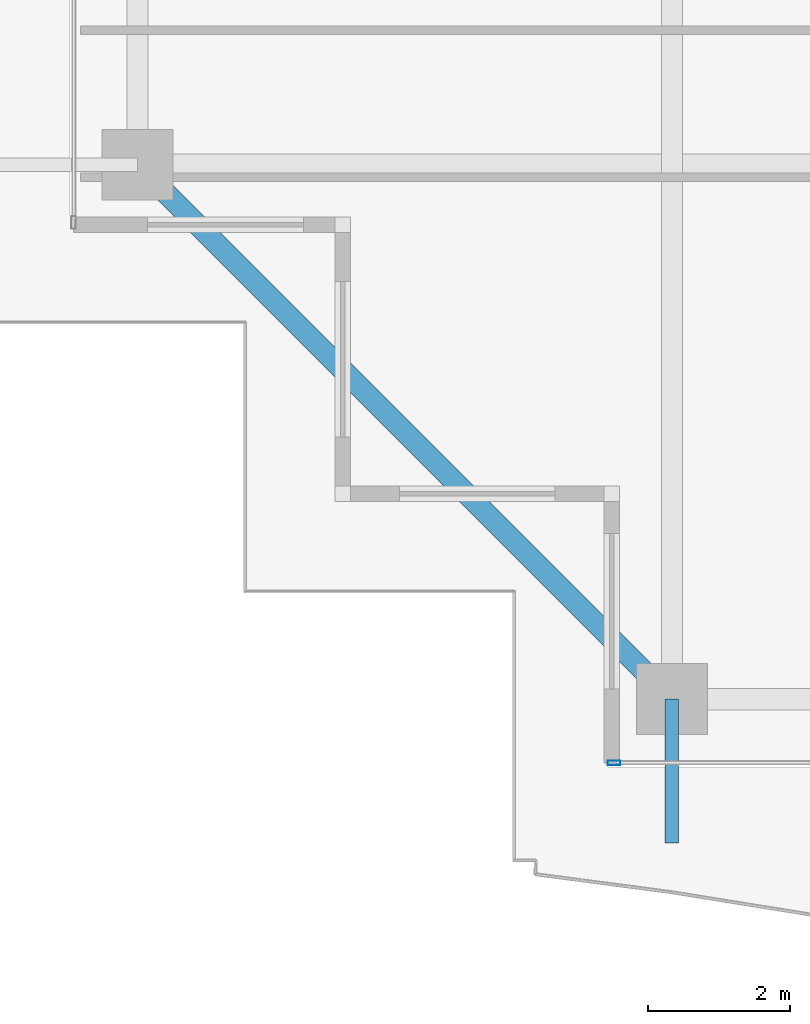
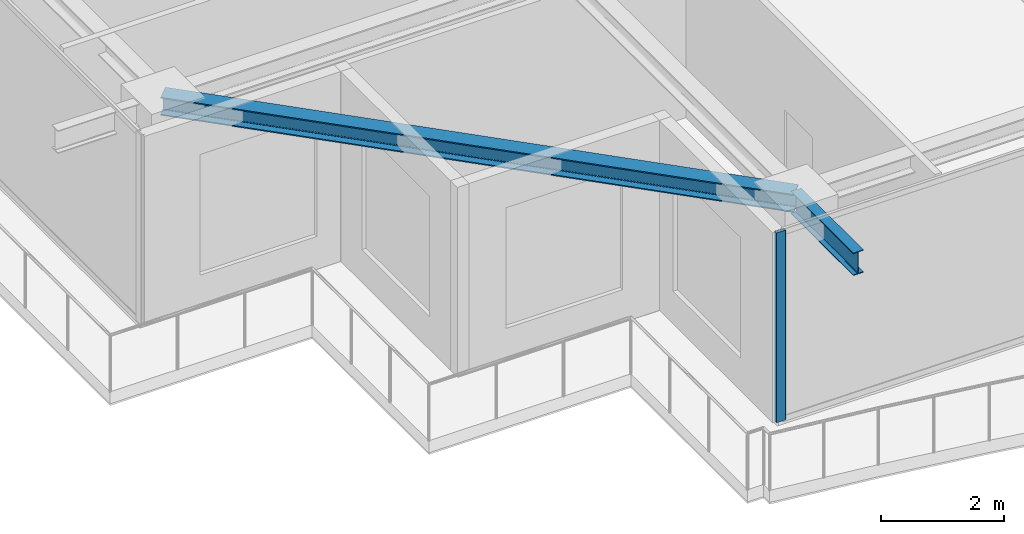
# One storey, part 2 of 42: 2 beams, 1 member, 1 element without a shape of its own.
"""IFC4 building model written with IfcOpenShell, lengths in metres."""

from ifc_helpers import new_model, si_unit, direction, frame, origin, origin_2d, place, context, subcontext, project, spatial, hollow_rectangle, i_section, extrude, source, transform, mapped, material, layer, layer_set, material_profile, profile_set, type_object, element, aggregate, save


model = new_model("IFC4")

# Units and contexts
model_context = context("Model", 3, precision=1e-05, world=origin(), true_north=direction((0.0, 1.0)))
body_context = subcontext(model_context, "Body", "Model", "MODEL_VIEW")
ifc_project = project(units=[si_unit("LENGTHUNIT", "METRE"), si_unit("AREAUNIT", "SQUARE_METRE"), si_unit("VOLUMEUNIT", "CUBIC_METRE"), si_unit("PLANEANGLEUNIT", "RADIAN"), si_unit("MASSUNIT", "GRAM", prefix="KILO")], contexts=[model_context])

# Site, building, storey
site_placement = place(None, origin())
site = spatial("IfcSite", under=ifc_project, at=site_placement, CompositionType="ELEMENT")
building_placement = place(site_placement, origin())
building = spatial("IfcBuilding", under=site, at=building_placement, Name="Serunith Strait Residences", CompositionType="ELEMENT")
storey_placement = place(building_placement, frame((0.0, 0.0, 325.85009765625)))
storey = spatial("IfcBuildingStorey", under=building, at=storey_placement, Name="L81", CompositionType="ELEMENT", Elevation=325.85009765625)

# Beams
ifc_material_1 = material(Name="Steel S355J2", Category="steel")
ifc_material_profile_1 = material_profile(ifc_material_1, i_section(OverallWidth=0.300048828125, OverallDepth=0.360107421875, WebThickness=0.012451171875, FlangeThickness=0.0224609375, FilletRadius=0.027099609375, at=origin_2d()), Name="HEB 360")
ifc_profile_set_1 = profile_set([ifc_material_profile_1], Name="Steel S355J2")
beam_type_1 = type_object("IfcBeamType", Name="BM-HEB360", PredefinedType="BEAM", material=ifc_profile_set_1)
shared_shape_1 = source(origin(), body_context, "Body", "SweptSolid", [
    extrude(i_section(OverallWidth=0.300048828125, OverallDepth=0.360107421875, WebThickness=0.012451171875, FlangeThickness=0.0224609375, FilletRadius=0.027099609375, at=origin_2d()), origin(), (0.0, 0.0, 1.0), 10.67724609375),
])
beam_1_placement = place(storey_placement, frame((10.10009765625, 10.85009765625, 3.576904296875), z_axis=(0.707095348302, -0.707118213887, 0.0), x_axis=(0.707118213887, 0.707095348302, 0.0)))
element("IfcBeam", 1, at=beam_1_placement, inside=storey, type_object=beam_type_1, Name="L81 Perimeter Ring Beam 16", PredefinedType="BEAM", context=body_context, shape_type="MappedRepresentation", body=[
    mapped(shared_shape_1, transform((0.0, 0.0, 0.0), scale=1.0)),
])
ifc_material_profile_2 = material_profile(ifc_material_1, i_section(OverallWidth=0.18994140625, OverallDepth=0.449951171875, WebThickness=0.009521484375, FlangeThickness=0.0146484375, FilletRadius=0.02099609375, at=origin_2d()), Name="IPE 450")
ifc_profile_set_2 = profile_set([ifc_material_profile_2], Name="Steel S355J2")
beam_type_2 = type_object("IfcBeamType", Name="BM-IPE450", PredefinedType="JOIST", material=ifc_profile_set_2)
shared_shape_2 = source(origin(), body_context, "Body", "SweptSolid", [
    extrude(i_section(OverallWidth=0.18994140625, OverallDepth=0.449951171875, WebThickness=0.009521484375, FlangeThickness=0.0146484375, FilletRadius=0.02099609375, at=origin_2d()), origin(), (0.0, 0.0, 1.0), 2.030029296875),
])
beam_2_placement = place(storey_placement, frame((17.64990234375, 3.300048828125, 3.531982421875), z_axis=(0.0, -1.0, 0.0), x_axis=(1.0, 0.0, 0.0)))
element("IfcBeam", 2, at=beam_2_placement, inside=storey, type_object=beam_type_2, Name="L82 Cantilevered Balcony Rib TC-S1", PredefinedType="JOIST", context=body_context, shape_type="MappedRepresentation", body=[
    mapped(shared_shape_2, transform((0.0, 0.0, 0.0), scale=1.0)),
])

# Curtain wall, member
ifc_material_2 = material(Name="Brushed Stainless-Silver Aluminium", Category="aluminium")
ifc_layer = layer(ifc_material_2, 0.199951171875, Name="Brushed Stainless-Silver Aluminium")
ifc_layer_set = layer_set([ifc_layer], Name="Brushed Stainless-Silver Aluminium")
curtain_wall_type = type_object("IfcCurtainWallType", Name="CW-SYS5", PredefinedType="NOTDEFINED", material=ifc_layer_set)
curtain_wall_placement = place(storey_placement, origin())
curtain_wall = element("IfcCurtainWall", 3, at=curtain_wall_placement, inside=storey, type_object=curtain_wall_type, Name="L81 S Unitised Fritted Curtain Wall", PredefinedType="NOTDEFINED")
ifc_material_profile_3 = material_profile(ifc_material_2, hollow_rectangle(XDim=0.06494140625, YDim=0.179931640625, WallThickness=0.00341796875, InnerFilletRadius=0.00537109375, OuterFilletRadius=0.0087890625, at=origin_2d()), Name="ALU 180x65x3.5")
ifc_profile_set_3 = profile_set([ifc_material_profile_3], Name="Brushed Stainless-Silver Aluminium")
member_type = type_object("IfcMemberType", Name="CW-SYS5-MULL", PredefinedType="MULLION", material=ifc_profile_set_3)
shared_shape_3 = source(origin(), body_context, "Body", "SweptSolid", [
    extrude(hollow_rectangle(XDim=0.06494140625, YDim=0.179931640625, WallThickness=0.00341796875, InnerFilletRadius=0.00537109375, OuterFilletRadius=0.0087890625, at=origin_2d()), origin(), (0.0, 0.0, 1.0), 3.77490234375),
])
member_placement = place(storey_placement, frame((16.83251953125, 2.39990234375, 0.0), z_axis=(0.0, 0.0, 1.0), x_axis=(0.0, 1.0, 0.0)))
member = element("IfcMember", 4, at=member_placement, type_object=member_type, Name="CW-5 mullion 1", PredefinedType="MULLION", context=body_context, shape_type="MappedRepresentation", body=[
    mapped(shared_shape_3, transform((0.0, 0.0, 0.0), scale=1.0)),
])
aggregate(curtain_wall, [member])

save(model, "model.ifc")
